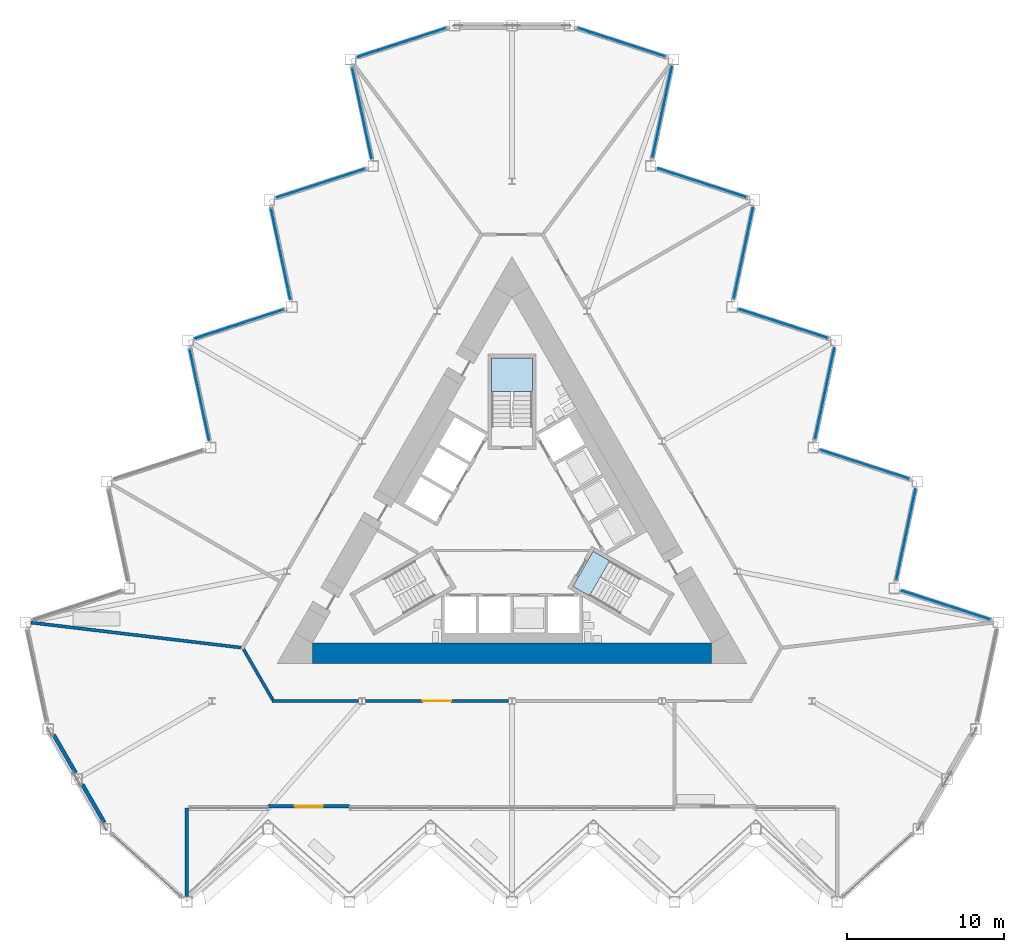
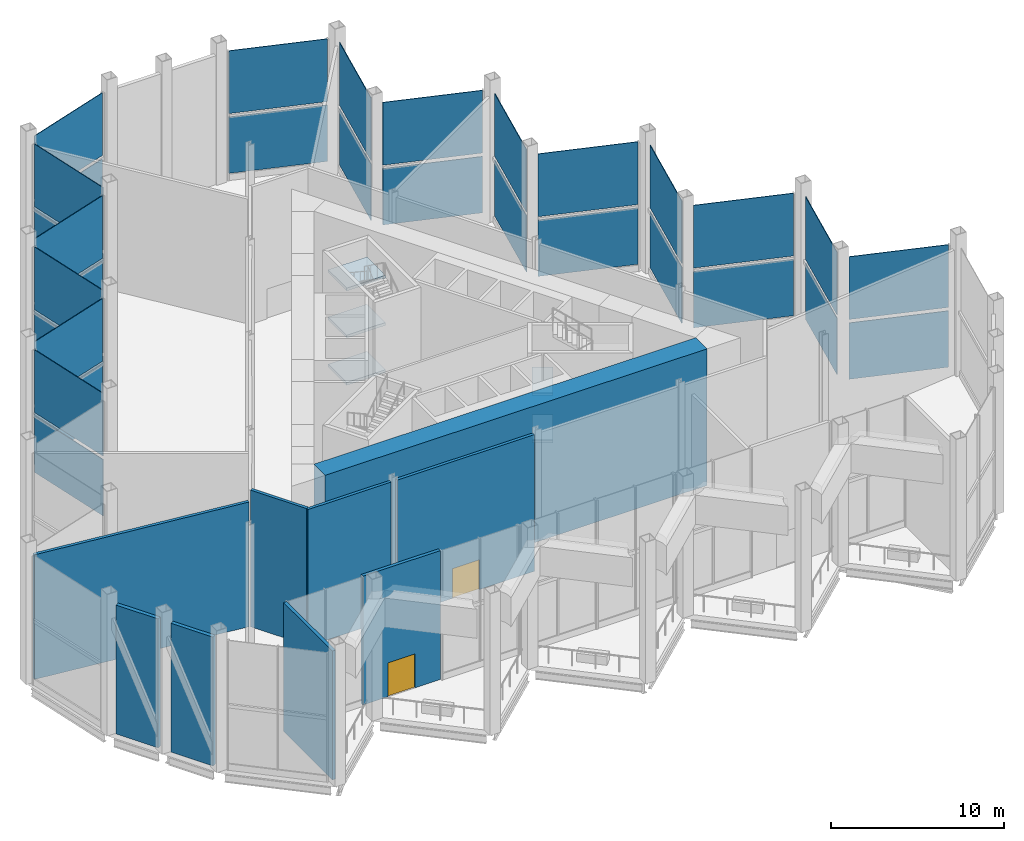
# One storey, part 8 of 17: 30 plates, 9 walls, 5 slabs, 2 doors, 2 openings, 4 elements without a shape of their own.
"""IFC4 building model written with IfcOpenShell, lengths in metres."""

from ifc_helpers import new_model, si_unit, direction, frame, frame_2d, origin, origin_2d, place, context, subcontext, project, spatial, polyline, rectangle, outline, extrude, material, layer, layer_set, type_object, element, fill, aggregate, save


model = new_model("IFC4")

# Units and contexts
model_context = context("Model", 3, precision=1e-05, world=origin(), true_north=direction((0.0, 1.0)))
body_context = subcontext(model_context, "Body", "Model", "MODEL_VIEW")
ifc_project = project(units=[si_unit("LENGTHUNIT", "METRE"), si_unit("AREAUNIT", "SQUARE_METRE"), si_unit("VOLUMEUNIT", "CUBIC_METRE"), si_unit("PLANEANGLEUNIT", "RADIAN"), si_unit("MASSUNIT", "GRAM", prefix="KILO")], contexts=[model_context])

# Site, building, storey
site_placement = place(None, origin())
site = spatial("IfcSite", under=ifc_project, at=site_placement, CompositionType="ELEMENT")
building_placement = place(site_placement, origin())
building = spatial("IfcBuilding", under=site, at=building_placement, Name="Cormorant Prow Tower", CompositionType="ELEMENT")
storey_placement = place(building_placement, frame((0.0, 0.0, 277.800048828125)))
storey = spatial("IfcBuildingStorey", under=building, at=storey_placement, Name="L63", CompositionType="ELEMENT", Elevation=277.800048828125)

# Curtain wall, plates
ifc_material_1 = material(Name="Aluminium 6063-T6", Category="aluminium")
ifc_layer_1 = layer(ifc_material_1, 0.300048828125)
ifc_layer_set_1 = layer_set([ifc_layer_1], Name="Aluminium 6063-T6")
curtain_wall_type = type_object("IfcCurtainWallType", Name="Sky lobby unitised curtain wall 300", PredefinedType="NOTDEFINED", material=ifc_layer_set_1)
curtain_wall_1_placement = place(storey_placement, origin())
curtain_wall_1 = element("IfcCurtainWall", 1, at=curtain_wall_1_placement, inside=storey, type_object=curtain_wall_type, Name="Sky lobby curtain wall ENE00-ENE09", PredefinedType="NOTDEFINED")
ifc_material_2 = material(Name="Clear glass", Category="glass")
ifc_layer_2 = layer(ifc_material_2, 0.0439453125)
ifc_layer_set_2 = layer_set([ifc_layer_2], Name="Clear glass")
plate_type = type_object("IfcPlateType", Name="Sky lobby glass panel 44", PredefinedType="CURTAIN_PANEL", material=ifc_layer_set_2)
plate_1_placement = place(storey_placement, frame((27.705322265625, -4.93798828125, 0.449951171875), z_axis=(0.0, 0.0, 1.0), x_axis=(-0.951056519526, 0.309016984432, 0.0)))
plate_1 = element("IfcPlate", 2, at=plate_1_placement, type_object=plate_type, Name="Sky lobby glass panel ENE00-ENE09", PredefinedType="CURTAIN_PANEL", context=body_context, shape_type="SweptSolid", body=[
    extrude(rectangle(XDim=5.8994140625, YDim=0.0439453125, at=origin_2d()), origin(), (0.0, 0.0, 1.0), 3.98046875),
])
plate_2_placement = place(storey_placement, frame((27.705322265625, -4.93798828125, 4.67041015625), z_axis=(0.0, 0.0, 1.0), x_axis=(-0.951056519526, 0.309016984432, 0.0)))
plate_2 = element("IfcPlate", 3, at=plate_2_placement, type_object=plate_type, Name="Sky lobby glass panel ENE00-ENE09", PredefinedType="CURTAIN_PANEL", context=body_context, shape_type="SweptSolid", body=[
    extrude(rectangle(XDim=5.8994140625, YDim=0.0439453125, at=origin_2d()), origin(), (0.0, 0.0, 1.0), 4.430419921875),
])
plate_3_placement = place(storey_placement, frame((25.157470703125, -0.418212890625, 0.449951171875), z_axis=(0.0, 0.0, 1.0), x_axis=(0.207911642282, 0.97814761105, 0.0)))
plate_3 = element("IfcPlate", 4, at=plate_3_placement, type_object=plate_type, Name="Sky lobby glass panel ENE00-ENE09", PredefinedType="CURTAIN_PANEL", context=body_context, shape_type="SweptSolid", body=[
    extrude(rectangle(XDim=5.8994140625, YDim=0.0439453125, at=origin_2d()), origin(), (0.0, 0.0, 1.0), 3.98046875),
])
plate_4_placement = place(storey_placement, frame((25.157470703125, -0.418212890625, 4.67041015625), z_axis=(0.0, 0.0, 1.0), x_axis=(0.207911642282, 0.97814761105, 0.0)))
plate_4 = element("IfcPlate", 5, at=plate_4_placement, type_object=plate_type, Name="Sky lobby glass panel ENE00-ENE09", PredefinedType="CURTAIN_PANEL", context=body_context, shape_type="SweptSolid", body=[
    extrude(rectangle(XDim=5.8994140625, YDim=0.0439453125, at=origin_2d()), origin(), (0.0, 0.0, 1.0), 4.430419921875),
])
plate_5_placement = place(storey_placement, frame((22.51708984375, 4.048095703125, 0.449951171875), z_axis=(0.0, 0.0, 1.0), x_axis=(-0.951056533203, 0.309016942337, 0.0)))
plate_5 = element("IfcPlate", 6, at=plate_5_placement, type_object=plate_type, Name="Sky lobby glass panel ENE00-ENE09", PredefinedType="CURTAIN_PANEL", context=body_context, shape_type="SweptSolid", body=[
    extrude(rectangle(XDim=5.8994140625, YDim=0.0439453125, at=origin_2d()), origin(), (0.0, 0.0, 1.0), 3.98046875),
])
plate_6_placement = place(storey_placement, frame((22.51708984375, 4.048095703125, 4.67041015625), z_axis=(0.0, 0.0, 1.0), x_axis=(-0.951056533203, 0.309016942337, 0.0)))
plate_6 = element("IfcPlate", 7, at=plate_6_placement, type_object=plate_type, Name="Sky lobby glass panel ENE00-ENE09", PredefinedType="CURTAIN_PANEL", context=body_context, shape_type="SweptSolid", body=[
    extrude(rectangle(XDim=5.8994140625, YDim=0.0439453125, at=origin_2d()), origin(), (0.0, 0.0, 1.0), 4.430419921875),
])
plate_7_placement = place(storey_placement, frame((19.96923828125, 8.568115234375, 0.449951171875), z_axis=(0.0, 0.0, 1.0), x_axis=(0.207911671407, 0.97814760486, 0.0)))
plate_7 = element("IfcPlate", 8, at=plate_7_placement, type_object=plate_type, Name="Sky lobby glass panel ENE00-ENE09", PredefinedType="CURTAIN_PANEL", context=body_context, shape_type="SweptSolid", body=[
    extrude(rectangle(XDim=5.8994140625, YDim=0.0439453125, at=origin_2d()), origin(), (0.0, 0.0, 1.0), 3.98046875),
])
plate_8_placement = place(storey_placement, frame((19.96923828125, 8.568115234375, 4.67041015625), z_axis=(0.0, 0.0, 1.0), x_axis=(0.207911671407, 0.97814760486, 0.0)))
plate_8 = element("IfcPlate", 9, at=plate_8_placement, type_object=plate_type, Name="Sky lobby glass panel ENE00-ENE09", PredefinedType="CURTAIN_PANEL", context=body_context, shape_type="SweptSolid", body=[
    extrude(rectangle(XDim=5.8994140625, YDim=0.0439453125, at=origin_2d()), origin(), (0.0, 0.0, 1.0), 4.430419921875),
])
plate_9_placement = place(storey_placement, frame((17.328857421875, 13.034423828125, 0.449951171875), z_axis=(0.0, 0.0, 1.0), x_axis=(-0.951056519526, 0.309016984432, 0.0)))
plate_9 = element("IfcPlate", 10, at=plate_9_placement, type_object=plate_type, Name="Sky lobby glass panel ENE00-ENE09", PredefinedType="CURTAIN_PANEL", context=body_context, shape_type="SweptSolid", body=[
    extrude(rectangle(XDim=5.8994140625, YDim=0.0439453125, at=origin_2d()), origin(), (0.0, 0.0, 1.0), 3.98046875),
])
plate_10_placement = place(storey_placement, frame((17.328857421875, 13.034423828125, 4.67041015625), z_axis=(0.0, 0.0, 1.0), x_axis=(-0.951056519526, 0.309016984432, 0.0)))
plate_10 = element("IfcPlate", 11, at=plate_10_placement, type_object=plate_type, Name="Sky lobby glass panel ENE00-ENE09", PredefinedType="CURTAIN_PANEL", context=body_context, shape_type="SweptSolid", body=[
    extrude(rectangle(XDim=5.8994140625, YDim=0.0439453125, at=origin_2d()), origin(), (0.0, 0.0, 1.0), 4.430419921875),
])
plate_11_placement = place(storey_placement, frame((14.781005859375, 17.554443359375, 0.449951171875), z_axis=(0.0, 0.0, 1.0), x_axis=(0.207911671407, 0.97814760486, 0.0)))
plate_11 = element("IfcPlate", 12, at=plate_11_placement, type_object=plate_type, Name="Sky lobby glass panel ENE00-ENE09", PredefinedType="CURTAIN_PANEL", context=body_context, shape_type="SweptSolid", body=[
    extrude(rectangle(XDim=5.8994140625, YDim=0.0439453125, at=origin_2d()), origin(), (0.0, 0.0, 1.0), 3.98046875),
])
plate_12_placement = place(storey_placement, frame((14.781005859375, 17.554443359375, 4.67041015625), z_axis=(0.0, 0.0, 1.0), x_axis=(0.207911671407, 0.97814760486, 0.0)))
plate_12 = element("IfcPlate", 13, at=plate_12_placement, type_object=plate_type, Name="Sky lobby glass panel ENE00-ENE09", PredefinedType="CURTAIN_PANEL", context=body_context, shape_type="SweptSolid", body=[
    extrude(rectangle(XDim=5.8994140625, YDim=0.0439453125, at=origin_2d()), origin(), (0.0, 0.0, 1.0), 4.430419921875),
])
plate_13_placement = place(storey_placement, frame((12.140625, 22.020751953125, 0.449951171875), z_axis=(0.0, 0.0, 1.0), x_axis=(-0.951056491108, 0.309017071893, 0.0)))
plate_13 = element("IfcPlate", 14, at=plate_13_placement, type_object=plate_type, Name="Sky lobby glass panel ENE00-ENE09", PredefinedType="CURTAIN_PANEL", context=body_context, shape_type="SweptSolid", body=[
    extrude(rectangle(XDim=5.8994140625, YDim=0.0439453125, at=origin_2d()), origin(), (0.0, 0.0, 1.0), 3.98046875),
])
plate_14_placement = place(storey_placement, frame((12.140625, 22.020751953125, 4.67041015625), z_axis=(0.0, 0.0, 1.0), x_axis=(-0.951056491108, 0.309017071893, 0.0)))
plate_14 = element("IfcPlate", 15, at=plate_14_placement, type_object=plate_type, Name="Sky lobby glass panel ENE00-ENE09", PredefinedType="CURTAIN_PANEL", context=body_context, shape_type="SweptSolid", body=[
    extrude(rectangle(XDim=5.8994140625, YDim=0.0439453125, at=origin_2d()), origin(), (0.0, 0.0, 1.0), 4.430419921875),
])
plate_15_placement = place(storey_placement, frame((9.5927734375, 26.540771484375, 0.449951171875), z_axis=(0.0, 0.0, 1.0), x_axis=(0.207911671407, 0.97814760486, 0.0)))
plate_15 = element("IfcPlate", 16, at=plate_15_placement, type_object=plate_type, Name="Sky lobby glass panel ENE00-ENE09", PredefinedType="CURTAIN_PANEL", context=body_context, shape_type="SweptSolid", body=[
    extrude(rectangle(XDim=5.8994140625, YDim=0.0439453125, at=origin_2d()), origin(), (0.0, 0.0, 1.0), 3.98046875),
])
plate_16_placement = place(storey_placement, frame((9.5927734375, 26.540771484375, 4.67041015625), z_axis=(0.0, 0.0, 1.0), x_axis=(0.207911671407, 0.97814760486, 0.0)))
plate_16 = element("IfcPlate", 17, at=plate_16_placement, type_object=plate_type, Name="Sky lobby glass panel ENE00-ENE09", PredefinedType="CURTAIN_PANEL", context=body_context, shape_type="SweptSolid", body=[
    extrude(rectangle(XDim=5.8994140625, YDim=0.0439453125, at=origin_2d()), origin(), (0.0, 0.0, 1.0), 4.430419921875),
])
plate_17_placement = place(storey_placement, frame((6.990234375, 30.99462890625, 0.449951171875), z_axis=(0.0, 0.0, 1.0), x_axis=(-0.951056533203, 0.309016942337, 0.0)))
plate_17 = element("IfcPlate", 18, at=plate_17_placement, type_object=plate_type, Name="Sky lobby glass panel ENE00-ENE09", PredefinedType="CURTAIN_PANEL", context=body_context, shape_type="SweptSolid", body=[
    extrude(rectangle(XDim=5.819580078125, YDim=0.0439453125, at=origin_2d()), origin(), (0.0, 0.0, 1.0), 3.98046875),
])
plate_18_placement = place(storey_placement, frame((6.990234375, 30.99462890625, 4.67041015625), z_axis=(0.0, 0.0, 1.0), x_axis=(-0.951056533203, 0.309016942337, 0.0)))
plate_18 = element("IfcPlate", 19, at=plate_18_placement, type_object=plate_type, Name="Sky lobby glass panel ENE00-ENE09", PredefinedType="CURTAIN_PANEL", context=body_context, shape_type="SweptSolid", body=[
    extrude(rectangle(XDim=5.819580078125, YDim=0.0439453125, at=origin_2d()), origin(), (0.0, 0.0, 1.0), 4.430419921875),
])
aggregate(curtain_wall_1, [plate_1, plate_2, plate_3, plate_4, plate_5, plate_6, plate_7, plate_8, plate_9, plate_10, plate_11, plate_12, plate_13, plate_14, plate_15, plate_16, plate_17, plate_18])

curtain_wall_2_placement = place(storey_placement, origin())
curtain_wall_2 = element("IfcCurtainWall", 20, at=curtain_wall_2_placement, inside=storey, type_object=curtain_wall_type, Name="Sky lobby curtain wall WNW00-WNW09", PredefinedType="NOTDEFINED")
plate_19_placement = place(storey_placement, frame((-7.0283203125, 30.982421875, 0.449951171875), z_axis=(0.0, 0.0, 1.0), x_axis=(-0.951056533203, -0.309016942337, 0.0)))
plate_19 = element("IfcPlate", 21, at=plate_19_placement, type_object=plate_type, Name="Sky lobby glass panel WNW00-WNW09", PredefinedType="CURTAIN_PANEL", context=body_context, shape_type="SweptSolid", body=[
    extrude(rectangle(XDim=5.8994140625, YDim=0.0439453125, at=origin_2d()), origin(), (0.0, 0.0, 1.0), 3.98046875),
])
plate_20_placement = place(storey_placement, frame((-7.0283203125, 30.982421875, 4.67041015625), z_axis=(0.0, 0.0, 1.0), x_axis=(-0.951056533203, -0.309016942337, 0.0)))
plate_20 = element("IfcPlate", 22, at=plate_20_placement, type_object=plate_type, Name="Sky lobby glass panel WNW00-WNW09", PredefinedType="CURTAIN_PANEL", context=body_context, shape_type="SweptSolid", body=[
    extrude(rectangle(XDim=5.8994140625, YDim=0.0439453125, at=origin_2d()), origin(), (0.0, 0.0, 1.0), 4.430419921875),
])
plate_21_placement = place(storey_placement, frame((-9.576171875, 26.46240234375, 0.449951171875), z_axis=(0.0, 0.0, 1.0), x_axis=(0.207911671407, -0.97814760486, 0.0)))
plate_21 = element("IfcPlate", 23, at=plate_21_placement, type_object=plate_type, Name="Sky lobby glass panel WNW00-WNW09", PredefinedType="CURTAIN_PANEL", context=body_context, shape_type="SweptSolid", body=[
    extrude(rectangle(XDim=5.8994140625, YDim=0.0439453125, at=origin_2d()), origin(), (0.0, 0.0, 1.0), 3.98046875),
])
plate_22_placement = place(storey_placement, frame((-9.576171875, 26.46240234375, 4.67041015625), z_axis=(0.0, 0.0, 1.0), x_axis=(0.207911671407, -0.97814760486, 0.0)))
plate_22 = element("IfcPlate", 24, at=plate_22_placement, type_object=plate_type, Name="Sky lobby glass panel WNW00-WNW09", PredefinedType="CURTAIN_PANEL", context=body_context, shape_type="SweptSolid", body=[
    extrude(rectangle(XDim=5.8994140625, YDim=0.0439453125, at=origin_2d()), origin(), (0.0, 0.0, 1.0), 4.430419921875),
])
plate_23_placement = place(storey_placement, frame((-12.216552734375, 21.99609375, 0.449951171875), z_axis=(0.0, 0.0, 1.0), x_axis=(-0.951056491108, -0.309017071893, 0.0)))
plate_23 = element("IfcPlate", 25, at=plate_23_placement, type_object=plate_type, Name="Sky lobby glass panel WNW00-WNW09", PredefinedType="CURTAIN_PANEL", context=body_context, shape_type="SweptSolid", body=[
    extrude(rectangle(XDim=5.8994140625, YDim=0.0439453125, at=origin_2d()), origin(), (0.0, 0.0, 1.0), 3.98046875),
])
plate_24_placement = place(storey_placement, frame((-12.216552734375, 21.99609375, 4.67041015625), z_axis=(0.0, 0.0, 1.0), x_axis=(-0.951056491108, -0.309017071893, 0.0)))
plate_24 = element("IfcPlate", 26, at=plate_24_placement, type_object=plate_type, Name="Sky lobby glass panel WNW00-WNW09", PredefinedType="CURTAIN_PANEL", context=body_context, shape_type="SweptSolid", body=[
    extrude(rectangle(XDim=5.8994140625, YDim=0.0439453125, at=origin_2d()), origin(), (0.0, 0.0, 1.0), 4.430419921875),
])
plate_25_placement = place(storey_placement, frame((-14.764404296875, 17.47607421875, 0.449951171875), z_axis=(0.0, 0.0, 1.0), x_axis=(0.207911671407, -0.97814760486, 0.0)))
plate_25 = element("IfcPlate", 27, at=plate_25_placement, type_object=plate_type, Name="Sky lobby glass panel WNW00-WNW09", PredefinedType="CURTAIN_PANEL", context=body_context, shape_type="SweptSolid", body=[
    extrude(rectangle(XDim=5.8994140625, YDim=0.0439453125, at=origin_2d()), origin(), (0.0, 0.0, 1.0), 3.98046875),
])
plate_26_placement = place(storey_placement, frame((-14.764404296875, 17.47607421875, 4.67041015625), z_axis=(0.0, 0.0, 1.0), x_axis=(0.207911671407, -0.97814760486, 0.0)))
plate_26 = element("IfcPlate", 28, at=plate_26_placement, type_object=plate_type, Name="Sky lobby glass panel WNW00-WNW09", PredefinedType="CURTAIN_PANEL", context=body_context, shape_type="SweptSolid", body=[
    extrude(rectangle(XDim=5.8994140625, YDim=0.0439453125, at=origin_2d()), origin(), (0.0, 0.0, 1.0), 4.430419921875),
])
plate_27_placement = place(storey_placement, frame((-17.40478515625, 13.009765625, 0.449951171875), z_axis=(0.0, 0.0, 1.0), x_axis=(-0.951056519526, -0.309016984432, 0.0)))
plate_27 = element("IfcPlate", 29, at=plate_27_placement, type_object=plate_type, Name="Sky lobby glass panel WNW00-WNW09", PredefinedType="CURTAIN_PANEL", context=body_context, shape_type="SweptSolid", body=[
    extrude(rectangle(XDim=5.8994140625, YDim=0.0439453125, at=origin_2d()), origin(), (0.0, 0.0, 1.0), 3.98046875),
])
plate_28_placement = place(storey_placement, frame((-17.40478515625, 13.009765625, 4.67041015625), z_axis=(0.0, 0.0, 1.0), x_axis=(-0.951056519526, -0.309016984432, 0.0)))
plate_28 = element("IfcPlate", 30, at=plate_28_placement, type_object=plate_type, Name="Sky lobby glass panel WNW00-WNW09", PredefinedType="CURTAIN_PANEL", context=body_context, shape_type="SweptSolid", body=[
    extrude(rectangle(XDim=5.8994140625, YDim=0.0439453125, at=origin_2d()), origin(), (0.0, 0.0, 1.0), 4.430419921875),
])
plate_29_placement = place(storey_placement, frame((-19.95263671875, 8.489990234375, 0.449951171875), z_axis=(0.0, 0.0, 1.0), x_axis=(0.207911671407, -0.97814760486, 0.0)))
plate_29 = element("IfcPlate", 31, at=plate_29_placement, type_object=plate_type, Name="Sky lobby glass panel WNW00-WNW09", PredefinedType="CURTAIN_PANEL", context=body_context, shape_type="SweptSolid", body=[
    extrude(rectangle(XDim=5.8994140625, YDim=0.0439453125, at=origin_2d()), origin(), (0.0, 0.0, 1.0), 3.98046875),
])
plate_30_placement = place(storey_placement, frame((-19.95263671875, 8.489990234375, 4.67041015625), z_axis=(0.0, 0.0, 1.0), x_axis=(0.207911671407, -0.97814760486, 0.0)))
plate_30 = element("IfcPlate", 32, at=plate_30_placement, type_object=plate_type, Name="Sky lobby glass panel WNW00-WNW09", PredefinedType="CURTAIN_PANEL", context=body_context, shape_type="SweptSolid", body=[
    extrude(rectangle(XDim=5.8994140625, YDim=0.0439453125, at=origin_2d()), origin(), (0.0, 0.0, 1.0), 4.430419921875),
])
aggregate(curtain_wall_2, [plate_19, plate_20, plate_21, plate_22, plate_23, plate_24, plate_25, plate_26, plate_27, plate_28, plate_29, plate_30])

# Stair, slabs
ifc_material_3 = material(Name="Exit stair 54 risers")
stair_type = type_object("IfcStairType", Name="Exit stair 54 risers", PredefinedType="HALF_TURN_STAIR", material=ifc_material_3)
stair_1_placement = place(storey_placement, origin())
stair_1 = element("IfcStair", 33, at=stair_1_placement, inside=storey, type_object=stair_type, Name="L63 Exit stair ST2", PredefinedType="HALF_TURN_STAIR")
ifc_material_4 = material(Name="Concrete 5000 psi", Category="concrete")
ifc_layer_3 = layer(ifc_material_4, 0.199951171875)
ifc_layer_set_3 = layer_set([ifc_layer_3], Name="Concrete 5000 psi")
slab_type = type_object("IfcSlabType", Name="Stair landing 200", PredefinedType="LANDING", material=ifc_layer_set_3)
slab_1_placement = place(storey_placement, frame((0.0, 0.0, 3.13330078125)))
slab_1 = element("IfcSlab", 34, at=slab_1_placement, type_object=slab_type, Name="ST2 landing 2", PredefinedType="LANDING", context=body_context, shape_type="SweptSolid", body=[
    extrude(outline(polyline([(3.88818359375, -3.739013671875), (4.947265625, -4.3505859375), (6.241455078125, -2.109375), (5.18212890625, -1.497802734375), (3.88818359375, -3.739013671875)])), origin(), (0.0, 0.0, 1.0), 0.199951171875),
])
slab_2_placement = place(storey_placement, frame((0.0, 0.0, 6.466552734375)))
slab_2 = element("IfcSlab", 35, at=slab_2_placement, type_object=slab_type, Name="ST2 landing 4", PredefinedType="LANDING", context=body_context, shape_type="SweptSolid", body=[
    extrude(outline(polyline([(3.88818359375, -3.739013671875), (4.947265625, -4.3505859375), (6.241455078125, -2.109375), (5.18212890625, -1.497802734375), (3.88818359375, -3.739013671875)])), origin(), (0.0, 0.0, 1.0), 0.199951171875),
])
aggregate(stair_1, [slab_1, slab_2])

stair_2_placement = place(storey_placement, origin())
stair_2 = element("IfcStair", 36, at=stair_2_placement, inside=storey, type_object=stair_type, Name="L63 Exit stair ST3", PredefinedType="HALF_TURN_STAIR")
slab_3_placement = place(storey_placement, frame((0.0, 0.0, 1.466552734375)))
slab_3 = element("IfcSlab", 37, at=slab_3_placement, type_object=slab_type, Name="ST3 landing 1", PredefinedType="LANDING", context=body_context, shape_type="SweptSolid", body=[
    extrude(outline(polyline([(1.2939453125, 8.69189453125), (1.2939453125, 10.8369140625), (-1.2939453125, 10.8369140625), (-1.2939453125, 8.69189453125), (1.2939453125, 8.69189453125)])), origin(), (0.0, 0.0, 1.0), 0.199951171875),
])
slab_4_placement = place(storey_placement, frame((0.0, 0.0, 4.800048828125)))
slab_4 = element("IfcSlab", 38, at=slab_4_placement, type_object=slab_type, Name="ST3 landing 3", PredefinedType="LANDING", context=body_context, shape_type="SweptSolid", body=[
    extrude(outline(polyline([(1.2939453125, 8.69189453125), (1.2939453125, 10.8369140625), (-1.2939453125, 10.8369140625), (-1.2939453125, 8.69189453125), (1.2939453125, 8.69189453125)])), origin(), (0.0, 0.0, 1.0), 0.199951171875),
])
slab_5_placement = place(storey_placement, frame((0.0, 0.0, 8.13330078125)))
slab_5 = element("IfcSlab", 39, at=slab_5_placement, type_object=slab_type, Name="ST3 landing 5", PredefinedType="LANDING", context=body_context, shape_type="SweptSolid", body=[
    extrude(outline(polyline([(1.2939453125, 8.69189453125), (1.2939453125, 10.8369140625), (-1.2939453125, 10.8369140625), (-1.2939453125, 8.69189453125), (1.2939453125, 8.69189453125)])), origin(), (0.0, 0.0, 1.0), 0.199951171875),
])
aggregate(stair_2, [slab_3, slab_4, slab_5])

# Wall
ifc_material_5 = material(Name="Concrete 8000 psi", Category="concrete")
ifc_layer_4 = layer(ifc_material_5, 1.300048828125)
ifc_layer_set_4 = layer_set([ifc_layer_4], Name="Concrete 8000 psi")
wall_type_1 = type_object("IfcWallType", Name="Core shear wall 1300", PredefinedType="SHEAR", material=ifc_layer_set_4)
wall_1_placement = place(storey_placement, frame((-12.748291015625, -8.01025390625, 0.0), z_axis=(0.0, 0.0, 1.0), x_axis=(1.0, 0.0, 0.0)))
element("IfcWall", 40, at=wall_1_placement, inside=storey, type_object=wall_type_1, Name="Core wall", PredefinedType="SHEAR", context=body_context, shape_type="SweptSolid", body=[
    extrude(rectangle(XDim=25.49658203125, YDim=1.300048828125, at=frame_2d((12.748291015625, 0.0))), origin(), (0.0, 0.0, 1.0), 9.64990234375),
])

# Wall, opening, door
ifc_material_6 = material(Name="Gypsum board corridor wall")
ifc_layer_5 = layer(ifc_material_6, 0.199951171875)
ifc_layer_set_5 = layer_set([ifc_layer_5], Name="Gypsum board corridor wall")
wall_type_2 = type_object("IfcWallType", Name="Corridor wall 200", PredefinedType="PARTITIONING", material=ifc_layer_set_5)
wall_2_placement = place(storey_placement, frame((-9.368896484375, -11.060302734375, 0.0), z_axis=(0.0, 0.0, 1.0), x_axis=(1.0, 0.0, 0.0)))
wall_2 = element("IfcWall", 41, at=wall_2_placement, inside=storey, type_object=wall_type_2, Name="Corridor wall", PredefinedType="PARTITIONING", context=body_context, shape_type="SweptSolid", body=[
    extrude(rectangle(XDim=9.159423828125, YDim=0.199951171875, at=frame_2d((4.57958984375, 0.0))), origin(), (0.0, 0.0, 1.0), 9.64990234375),
])
opening_1_placement = place(wall_2_placement, frame((3.6796875, 0.0, 0.0)))
opening_1 = element("IfcOpeningElement", 42, at=opening_1_placement, cuts=wall_2, Name="Opening L63-F07", PredefinedType="OPENING", context=body_context, shape_type="SweptSolid", body=[
    extrude(rectangle(XDim=1.800048828125, YDim=2.10009765625, at=frame_2d((0.89990234375, 1.050048828125))), frame((0.0, 0.10986328125, 0.0), z_axis=(0.0, -1.0, 0.0), x_axis=(1.0, 0.0, 0.0)), (0.0, 0.0, 1.0), 0.219970703125),
])
ifc_material_7 = material(Name="Timber door leaf", Category="wood")
door_type_1 = type_object("IfcDoorType", Name="Double door 1800x2100", OperationType="DOUBLE_DOOR_SINGLE_SWING", PredefinedType="DOOR", material=ifc_material_7)
door_1_placement = place(opening_1_placement, origin())
door_1 = element("IfcDoor", 43, at=door_1_placement, inside=storey, type_object=door_type_1, Name="Business services centre door", OperationType="DOUBLE_DOOR_SINGLE_SWING", OverallHeight=2.10009765625, OverallWidth=1.800048828125, PredefinedType="DOOR", context=body_context, shape_type="SweptSolid", body=[
    extrude(rectangle(XDim=1.800048828125, YDim=2.10009765625, at=frame_2d((0.89990234375, 1.050048828125))), frame((0.0, 0.02490234375, 0.0), z_axis=(0.0, -1.0, 0.0), x_axis=(1.0, 0.0, 0.0)), (0.0, 0.0, 1.0), 0.050048828125),
])
fill(opening_1, door_1)

# Walls
wall_3_placement = place(storey_placement, frame((-15.330810546875, -11.060302734375, 0.0), z_axis=(0.0, 0.0, 1.0), x_axis=(1.0, 0.0, 0.0)))
element("IfcWall", 44, at=wall_3_placement, inside=storey, type_object=wall_type_2, Name="Corridor wall", PredefinedType="PARTITIONING", context=body_context, shape_type="SweptSolid", body=[
    extrude(rectangle(XDim=5.542724609375, YDim=0.199951171875, at=frame_2d((2.771484375, 0.0))), origin(), (0.0, 0.0, 1.0), 9.64990234375),
])
wall_4_placement = place(storey_placement, frame((-17.143798828125, -7.746826171875, 0.0), z_axis=(0.0, 0.0, 1.0), x_axis=(0.499958791762, -0.866049194065, 0.0)))
element("IfcWall", 45, at=wall_4_placement, inside=storey, type_object=wall_type_2, Name="Corridor wall", PredefinedType="PARTITIONING", context=body_context, shape_type="SweptSolid", body=[
    extrude(rectangle(XDim=3.725830078125, YDim=0.199951171875, at=frame_2d((1.86279296875, 0.0))), origin(), (0.0, 0.0, 1.0), 9.64990234375),
])
ifc_material_8 = material(Name="Gypsum board demising wall")
ifc_layer_6 = layer(ifc_material_8, 0.199951171875)
ifc_layer_set_6 = layer_set([ifc_layer_6], Name="Gypsum board demising wall")
wall_type_3 = type_object("IfcWallType", Name="Demising wall 200", PredefinedType="PARTITIONING", material=ifc_layer_set_6)
wall_5_placement = place(storey_placement, frame((-30.703125, -6.052001953125, 0.0), z_axis=(0.0, 0.0, 1.0), x_axis=(0.992988122615, -0.118214163049, 0.0)))
element("IfcWall", 46, at=wall_5_placement, inside=storey, type_object=wall_type_3, Name="Demising wall", PredefinedType="PARTITIONING", context=body_context, shape_type="SweptSolid", body=[
    extrude(rectangle(XDim=13.504638671875, YDim=0.199951171875, at=frame_2d((6.75244140625, 0.0))), origin(), (0.0, 0.0, 1.0), 8.80419921875),
])
ifc_material_9 = material(Name="Terracotta", Category="masonry")
ifc_layer_7 = layer(ifc_material_9, 0.25)
ifc_layer_set_7 = layer_set([ifc_layer_7], Name="Terracotta")
wall_type_4 = type_object("IfcWallType", Name="Terracotta bay wall 250", PredefinedType="SOLIDWALL", material=ifc_layer_set_7)
for number, where, z_axis, x_axis, name in (
    (47, (-29.26513671875, -13.2080078125, 0.0), (0.0, 0.0, 1.0), (0.499968627931, -0.866043515699, 0.0), "Terracotta bay wall WSW00"),
    (48, (-27.429931640625, -16.38671875, 0.0), (0.0, 0.0, 1.0), (0.499968627931, -0.866043515699, 0.0), "Terracotta bay wall WSW01"),
):
    element("IfcWall", number, at=place(storey_placement, frame(where, z_axis=z_axis, x_axis=x_axis)), inside=storey, type_object=wall_type_4, Name=name, PredefinedType="SOLIDWALL", context=body_context, shape_type="SweptSolid", body=[
        extrude(rectangle(XDim=2.804443359375, YDim=0.25, at=frame_2d((1.40234375, 0.0))), origin(), (0.0, 0.0, 1.0), 9.100830078125),
    ])

# Wall, opening, door
ifc_material_10 = material(Name="Terracotta", Category="masonry")
ifc_layer_8 = layer(ifc_material_10, 0.219970703125)
ifc_layer_set_8 = layer_set([ifc_layer_8], Name="Terracotta")
wall_type_5 = type_object("IfcWallType", Name="Terracotta loggia wall 220", PredefinedType="SOLIDWALL", material=ifc_layer_set_8)
wall_6_placement = place(storey_placement, frame((-15.564697265625, -17.77685546875, 0.0), z_axis=(0.0, 0.0, 1.0), x_axis=(1.0, 0.0, 0.0)))
wall_6 = element("IfcWall", 49, at=wall_6_placement, inside=storey, type_object=wall_type_5, Name="Terracotta loggia wall S02", PredefinedType="SOLIDWALL", context=body_context, shape_type="SweptSolid", body=[
    extrude(rectangle(XDim=5.188232421875, YDim=0.219970703125, at=frame_2d((2.59423828125, 0.0))), origin(), (0.0, 0.0, 1.0), 9.100830078125),
])
opening_2_placement = place(wall_6_placement, frame((1.694091796875, 0.0, 0.0)))
opening_2 = element("IfcOpeningElement", 50, at=opening_2_placement, cuts=wall_6, Name="Opening ED63.01", PredefinedType="OPENING", context=body_context, shape_type="SweptSolid", body=[
    extrude(rectangle(XDim=1.800048828125, YDim=2.39990234375, at=frame_2d((0.89990234375, 1.199951171875))), frame((0.0, 0.119873046875, 0.0), z_axis=(0.0, -1.0, 0.0), x_axis=(1.0, 0.0, 0.0)), (0.0, 0.0, 1.0), 0.239990234375),
])
ifc_material_11 = material(Name="Aluminium 6063-T6", Category="aluminium")
door_type_2 = type_object("IfcDoorType", Name="Terrace door 1800x2400", OperationType="DOUBLE_DOOR_SINGLE_SWING", PredefinedType="DOOR", material=ifc_material_11)
door_2_placement = place(opening_2_placement, origin())
door_2 = element("IfcDoor", 51, at=door_2_placement, inside=storey, type_object=door_type_2, Name="Terrace door S02 ED63.01", OperationType="DOUBLE_DOOR_SINGLE_SWING", OverallHeight=2.39990234375, OverallWidth=1.800048828125, PredefinedType="DOOR", context=body_context, shape_type="SweptSolid", body=[
    extrude(rectangle(XDim=1.800048828125, YDim=2.39990234375, at=frame_2d((0.89990234375, 1.199951171875))), frame((0.0, 0.02490234375, 0.0), z_axis=(0.0, -1.0, 0.0), x_axis=(1.0, 0.0, 0.0)), (0.0, 0.0, 1.0), 0.050048828125),
])
fill(opening_2, door_2)

# Wall
wall_7_placement = place(storey_placement, frame((-20.7529296875, -23.536865234375, 0.0), z_axis=(0.0, 0.0, 1.0), x_axis=(0.0, 1.0, 0.0)))
element("IfcWall", 52, at=wall_7_placement, inside=storey, type_object=wall_type_5, Name="Terracotta loggia return S west", PredefinedType="SOLIDWALL", context=body_context, shape_type="SweptSolid", body=[
    extrude(rectangle(XDim=5.64990234375, YDim=0.219970703125, at=frame_2d((2.824951171875, 0.0))), origin(), (0.0, 0.0, 1.0), 9.100830078125),
])

save(model, "model.ifc")
